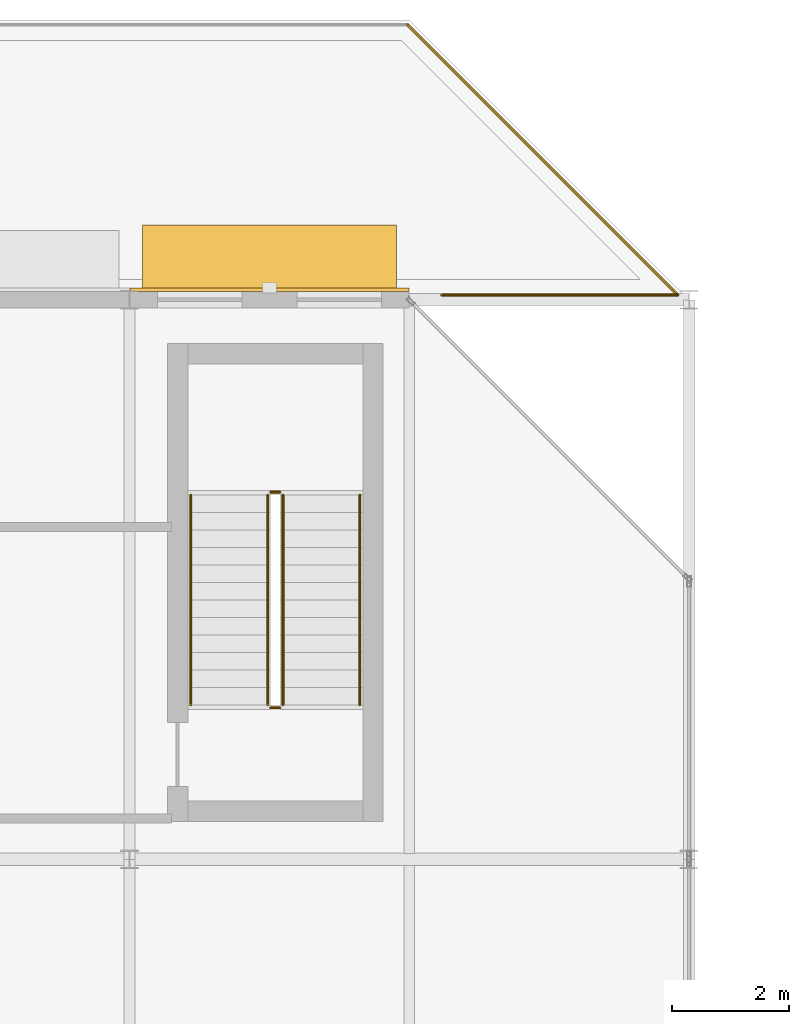
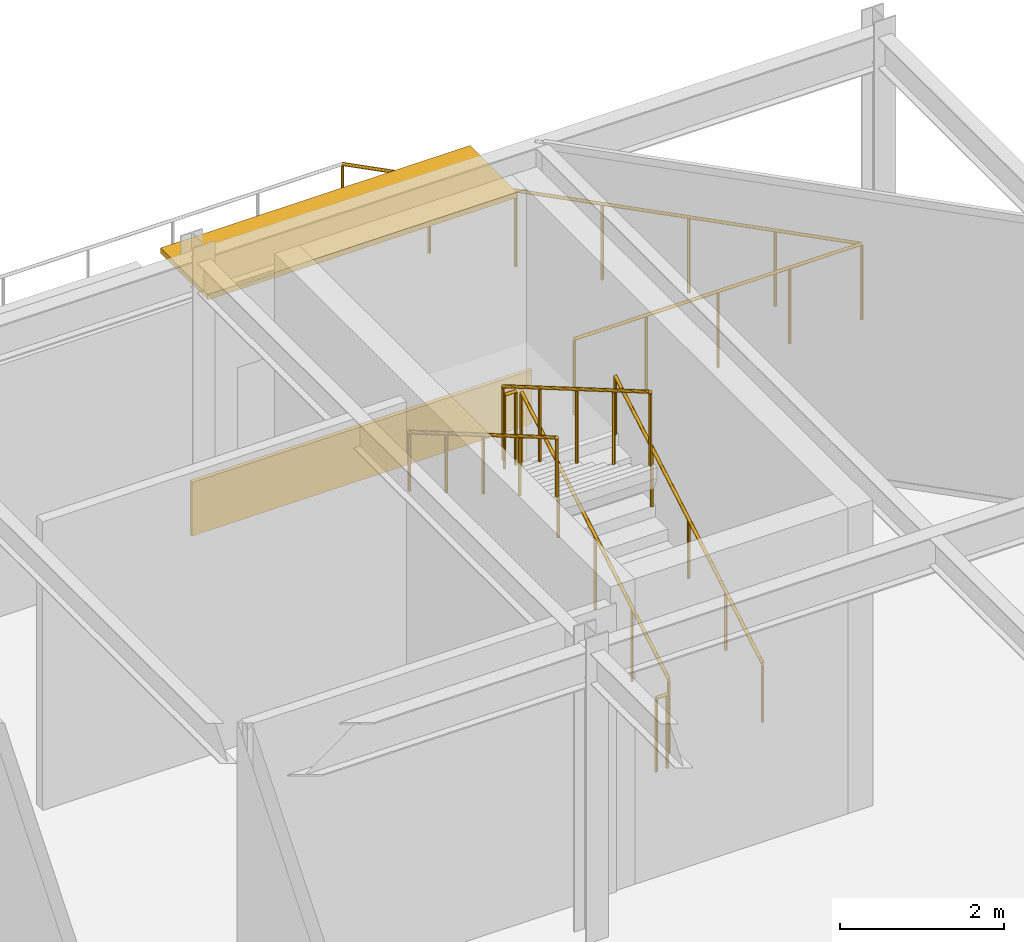
# One storey, part 45 of 50: 8 railings, 1 covering, 1 shading device.
"""IFC4 building model written with IfcOpenShell, lengths in metres."""

from ifc_helpers import new_model, si_unit, direction, frame, origin, origin_2d, place, context, subcontext, project, spatial, rectangle, circle, extrude, material, layer, layer_set, type_object, element, save


model = new_model("IFC4")

# Units and contexts
model_context = context("Model", 3, precision=1e-05, world=origin(), true_north=direction((0.0, 1.0)))
body_context = subcontext(model_context, "Body", "Model", "MODEL_VIEW")
ifc_project = project(units=[si_unit("LENGTHUNIT", "METRE"), si_unit("AREAUNIT", "SQUARE_METRE"), si_unit("VOLUMEUNIT", "CUBIC_METRE"), si_unit("PLANEANGLEUNIT", "RADIAN"), si_unit("MASSUNIT", "GRAM", prefix="KILO")], contexts=[model_context])

# Site, building, storey
site_placement = place(None, origin())
site = spatial("IfcSite", under=ifc_project, at=site_placement, CompositionType="ELEMENT")
building_placement = place(site_placement, origin())
building = spatial("IfcBuilding", under=site, at=building_placement, Name="Almandine Court Research Institute", CompositionType="ELEMENT")
storey_placement = place(building_placement, frame((0.0, 0.0, 23.449951171875)))
storey = spatial("IfcBuildingStorey", under=building, at=storey_placement, Name="L05", CompositionType="ELEMENT", Elevation=23.449951171875)

# Covering
ifc_material_1 = material(Name="Extruded Cream-Ochre Seismic Terracotta Spandrel", Category="masonry")
ifc_layer_1 = layer(ifc_material_1, 0.054931640625)
ifc_layer_set_1 = layer_set([ifc_layer_1], Name="Extruded Cream-Ochre Seismic Terracotta Spandrel")
covering_type = type_object("IfcCoveringType", Name="Cov-CLAD-TERR", PredefinedType="CLADDING", material=ifc_layer_set_1)
covering_placement = place(storey_placement, frame((27.60009765625, 112.970947265625, 0.02001953125), z_axis=(0.0, 0.0, 1.0), x_axis=(1.0, 0.0, 0.0)))
element("IfcCovering", 1, at=covering_placement, inside=storey, type_object=covering_type, Name="L05 Facade Spandrel Cladding Band 90", PredefinedType="CLADDING", context=body_context, shape_type="SweptSolid", body=[
    extrude(rectangle(XDim=4.7919921875, YDim=0.054931640625, at=origin_2d()), origin(), (0.0, 0.0, 1.0), 0.800048828125),
])

# Railings
ifc_material_2 = material(Name="Architectural Powder-Coated Aluminium Balustrade", Category="aluminium")
railing_type_1 = type_object("IfcRailingType", Name="Rail-BAL-EXT", PredefinedType="BALUSTRADE", material=ifc_material_2)
railing_1_placement = place(storey_placement, frame((29.967041015625, 117.52001953125, 0.0)))
element("IfcRailing", 2, at=railing_1_placement, inside=storey, type_object=railing_type_1, Name="L05 Terrace Perimeter Balustrade 003", PredefinedType="BALUSTRADE", context=body_context, shape_type="SweptSolid", body=[
    extrude(circle(Radius=0.02392578125, at=origin_2d()), frame((0.0, 0.0, 1.1259765625), z_axis=(0.707088178254, -0.70712538363, 0.0), x_axis=(0.70712538363, 0.707088178254, 0.0)), (0.0, 0.0, 1.0), 6.56201171875),
    extrude(circle(Radius=0.02099609375, at=origin_2d()), origin(), (0.0, 0.0, 1.0), 1.101806640625),
    extrude(circle(Radius=0.02099609375, at=origin_2d()), frame((0.7734375, -0.7734375, 0.0)), (0.0, 0.0, 1.0), 1.101806640625),
    extrude(circle(Radius=0.02099609375, at=origin_2d()), frame((1.546630859375, -1.546630859375, 0.0)), (0.0, 0.0, 1.0), 1.101806640625),
    extrude(circle(Radius=0.02099609375, at=origin_2d()), frame((2.31982421875, -2.320068359375, 0.0)), (0.0, 0.0, 1.0), 1.101806640625),
    extrude(circle(Radius=0.02099609375, at=origin_2d()), frame((3.09326171875, -3.093505859375, 0.0)), (0.0, 0.0, 1.0), 1.101806640625),
    extrude(circle(Radius=0.02099609375, at=origin_2d()), frame((3.86669921875, -3.86669921875, 0.0)), (0.0, 0.0, 1.0), 1.101806640625),
    extrude(circle(Radius=0.02099609375, at=origin_2d()), frame((4.639892578125, -4.64013671875, 0.0)), (0.0, 0.0, 1.0), 1.101806640625),
])
railing_2_placement = place(storey_placement, frame((34.60693359375, 112.8798828125, 0.0)))
element("IfcRailing", 3, at=railing_2_placement, inside=storey, type_object=railing_type_1, Name="L05 Terrace Perimeter Balustrade 004", PredefinedType="BALUSTRADE", context=body_context, shape_type="SweptSolid", body=[
    extrude(circle(Radius=0.02392578125, at=origin_2d()), frame((0.0, 0.0, 1.1259765625), z_axis=(-1.0, 0.0, 0.0), x_axis=(0.0, -1.0, 0.0)), (0.0, 0.0, 1.0), 4.051025390625),
    extrude(circle(Radius=0.02099609375, at=origin_2d()), origin(), (0.0, 0.0, 1.0), 1.101806640625),
    extrude(circle(Radius=0.02099609375, at=origin_2d()), frame((-1.0126953125, 0.0, 0.0)), (0.0, 0.0, 1.0), 1.101806640625),
    extrude(circle(Radius=0.02099609375, at=origin_2d()), frame((-2.025390625, 0.0, 0.0)), (0.0, 0.0, 1.0), 1.101806640625),
    extrude(circle(Radius=0.02099609375, at=origin_2d()), frame((-3.038330078125, 0.0, 0.0)), (0.0, 0.0, 1.0), 1.101806640625),
    extrude(circle(Radius=0.02099609375, at=origin_2d()), frame((-4.051025390625, 0.0, 0.0)), (0.0, 0.0, 1.0), 1.101806640625),
])
ifc_material_3 = material(Name="Powder-Coated Steel Stair and Atrium Balustrade", Category="steel")
railing_type_2 = type_object("IfcRailingType", Name="Rail-GUARD-INT", PredefinedType="BALUSTRADE", material=ifc_material_3)
railing_3_placement = place(storey_placement, frame((27.830078125, 105.85009765625, 0.175048828125)))
element("IfcRailing", 4, at=railing_3_placement, inside=storey, type_object=railing_type_2, Name="L05 ST-06 stair guard 1", PredefinedType="BALUSTRADE", context=body_context, shape_type="SweptSolid", body=[
    extrude(circle(Radius=0.02392578125, at=origin_2d()), frame((0.0, 0.0, 1.09619140625), z_axis=(0.0, 0.863759778359, 0.503903805591), x_axis=(-1.0, 0.0, 0.0)), (0.0, 0.0, 1.0), 4.167724609375),
    extrude(circle(Radius=0.02099609375, at=origin_2d()), origin(), (0.0, 0.0, 1.0), 1.072021484375),
    extrude(circle(Radius=0.02099609375, at=origin_2d()), frame((0.0, 0.89990234375, 0.52490234375)), (0.0, 0.0, 1.0), 1.072021484375),
    extrude(circle(Radius=0.02099609375, at=origin_2d()), frame((0.0, 1.7998046875, 1.050048828125)), (0.0, 0.0, 1.0), 1.072021484375),
    extrude(circle(Radius=0.02099609375, at=origin_2d()), frame((0.0, 2.699951171875, 1.5751953125)), (0.0, 0.0, 1.0), 1.072021484375),
    extrude(circle(Radius=0.02099609375, at=origin_2d()), frame((0.0, 3.599853515625, 2.10009765625)), (0.0, 0.0, 1.0), 1.072021484375),
])
railing_4_placement = place(storey_placement, frame((27.780029296875, 109.5, 2.275146484375)))
element("IfcRailing", 5, at=railing_4_placement, inside=storey, type_object=railing_type_2, Name="L05 ST-06 stair guard 2", PredefinedType="BALUSTRADE", context=body_context, shape_type="SweptSolid", body=[
    extrude(circle(Radius=0.02392578125, at=origin_2d()), frame((0.0, 0.0, 1.09619140625), z_axis=(-1.0, 0.0, 0.0), x_axis=(0.0, -1.0, 0.0)), (0.0, 0.0, 1.0), 0.159912109375),
    extrude(circle(Radius=0.02099609375, at=origin_2d()), origin(), (0.0, 0.0, 1.0), 1.072021484375),
    extrude(circle(Radius=0.02099609375, at=origin_2d()), frame((-0.159912109375, 0.0, 0.0)), (0.0, 0.0, 1.0), 1.072021484375),
])
railing_5_placement = place(storey_placement, frame((27.570068359375, 109.449951171875, 2.449951171875)))
element("IfcRailing", 6, at=railing_5_placement, inside=storey, type_object=railing_type_2, Name="L05 ST-06 stair guard 3", PredefinedType="BALUSTRADE", context=body_context, shape_type="SweptSolid", body=[
    extrude(circle(Radius=0.02392578125, at=origin_2d()), frame((0.0, 0.0, 1.09619140625), z_axis=(0.0, -0.863759778359, 0.503903805591), x_axis=(1.0, 0.0, 0.0)), (0.0, 0.0, 1.0), 4.167724609375),
    extrude(circle(Radius=0.02099609375, at=origin_2d()), origin(), (0.0, 0.0, 1.0), 1.072021484375),
    extrude(circle(Radius=0.02099609375, at=origin_2d()), frame((0.0, -0.89990234375, 0.52490234375)), (0.0, 0.0, 1.0), 1.072021484375),
    extrude(circle(Radius=0.02099609375, at=origin_2d()), frame((0.0, -1.7998046875, 1.050048828125)), (0.0, 0.0, 1.0), 1.072021484375),
    extrude(circle(Radius=0.02099609375, at=origin_2d()), frame((0.0, -2.699951171875, 1.5751953125)), (0.0, 0.0, 1.0), 1.072021484375),
    extrude(circle(Radius=0.02099609375, at=origin_2d()), frame((0.0, -3.599853515625, 2.10009765625)), (0.0, 0.0, 1.0), 1.072021484375),
])
railing_6_placement = place(storey_placement, frame((27.780029296875, 105.800048828125, 0.0)))
element("IfcRailing", 7, at=railing_6_placement, inside=storey, type_object=railing_type_2, Name="L05 ST-06 stair guard 4", PredefinedType="BALUSTRADE", context=body_context, shape_type="SweptSolid", body=[
    extrude(circle(Radius=0.02392578125, at=origin_2d()), frame((0.0, 0.0, 1.09619140625), z_axis=(-1.0, 0.0, 0.0), x_axis=(0.0, -1.0, 0.0)), (0.0, 0.0, 1.0), 0.159912109375),
    extrude(circle(Radius=0.02099609375, at=origin_2d()), origin(), (0.0, 0.0, 1.0), 1.072021484375),
    extrude(circle(Radius=0.02099609375, at=origin_2d()), frame((-0.159912109375, 0.0, 0.0)), (0.0, 0.0, 1.0), 1.072021484375),
])
ifc_material_4 = material(Name="Brushed Stainless Steel Wall Handrail", Category="steel")
railing_type_3 = type_object("IfcRailingType", Name="Rail-HAND-INT", PredefinedType="HANDRAIL", material=ifc_material_4)
railing_7_placement = place(storey_placement, frame((29.14990234375, 105.85009765625, 0.175048828125)))
element("IfcRailing", 8, at=railing_7_placement, inside=storey, type_object=railing_type_3, Name="L05 ST-06 stair handrail 1", PredefinedType="HANDRAIL", context=body_context, shape_type="SweptSolid", body=[
    extrude(circle(Radius=0.02392578125, at=origin_2d()), frame((0.0, 0.0, 0.8759765625), z_axis=(0.0, 0.863759778359, 0.503903805591), x_axis=(-1.0, 0.0, 0.0)), (0.0, 0.0, 1.0), 4.167724609375),
    extrude(circle(Radius=0.02099609375, at=origin_2d()), origin(), (0.0, 0.0, 1.0), 0.851806640625),
    extrude(circle(Radius=0.02099609375, at=origin_2d()), frame((0.0, 0.89990234375, 0.52490234375)), (0.0, 0.0, 1.0), 0.851806640625),
    extrude(circle(Radius=0.02099609375, at=origin_2d()), frame((0.0, 1.7998046875, 1.050048828125)), (0.0, 0.0, 1.0), 0.851806640625),
    extrude(circle(Radius=0.02099609375, at=origin_2d()), frame((0.0, 2.699951171875, 1.5751953125)), (0.0, 0.0, 1.0), 0.851806640625),
    extrude(circle(Radius=0.02099609375, at=origin_2d()), frame((0.0, 3.599853515625, 2.10009765625)), (0.0, 0.0, 1.0), 0.851806640625),
])
railing_8_placement = place(storey_placement, frame((26.25, 109.449951171875, 2.449951171875)))
element("IfcRailing", 9, at=railing_8_placement, inside=storey, type_object=railing_type_3, Name="L05 ST-06 stair handrail 2", PredefinedType="HANDRAIL", context=body_context, shape_type="SweptSolid", body=[
    extrude(circle(Radius=0.02392578125, at=origin_2d()), frame((0.0, 0.0, 0.8759765625), z_axis=(0.0, -0.863759778359, 0.503903805591), x_axis=(1.0, 0.0, 0.0)), (0.0, 0.0, 1.0), 4.167724609375),
    extrude(circle(Radius=0.02099609375, at=origin_2d()), origin(), (0.0, 0.0, 1.0), 0.851806640625),
    extrude(circle(Radius=0.02099609375, at=origin_2d()), frame((0.0, -0.89990234375, 0.52490234375)), (0.0, 0.0, 1.0), 0.851806640625),
    extrude(circle(Radius=0.02099609375, at=origin_2d()), frame((0.0, -1.7998046875, 1.050048828125)), (0.0, 0.0, 1.0), 0.851806640625),
    extrude(circle(Radius=0.02099609375, at=origin_2d()), frame((0.0, -2.699951171875, 1.5751953125)), (0.0, 0.0, 1.0), 0.851806640625),
    extrude(circle(Radius=0.02099609375, at=origin_2d()), frame((0.0, -3.599853515625, 2.10009765625)), (0.0, 0.0, 1.0), 0.851806640625),
])

# Shading device
ifc_material_5 = material(Name="Precast GFRC Chhajja Sunshade and Acoustic Louvre", Category="concrete")
ifc_layer_2 = layer(ifc_material_5, 0.080078125)
ifc_layer_set_2 = layer_set([ifc_layer_2], Name="Precast GFRC Chhajja Sunshade and Acoustic Louvre")
shading_device_type = type_object("IfcShadingDeviceType", Name="Shd-SD-35", PredefinedType="AWNING", material=ifc_layer_set_2)
shading_device_placement = place(storey_placement, frame((27.60009765625, 113.510009765625, 3.469970703125), z_axis=(0.0, 0.0, 1.0), x_axis=(1.0, 0.0, 0.0)))
element("IfcShadingDevice", 10, at=shading_device_placement, inside=storey, type_object=shading_device_type, Name="L05 Projecting Chhajja Sunshade 53", PredefinedType="AWNING", context=body_context, shape_type="SweptSolid", body=[
    extrude(rectangle(XDim=4.362060546875, YDim=1.14990234375, at=origin_2d()), origin(), (0.0, 0.0, 1.0), 0.080078125),
])

save(model, "model.ifc")
